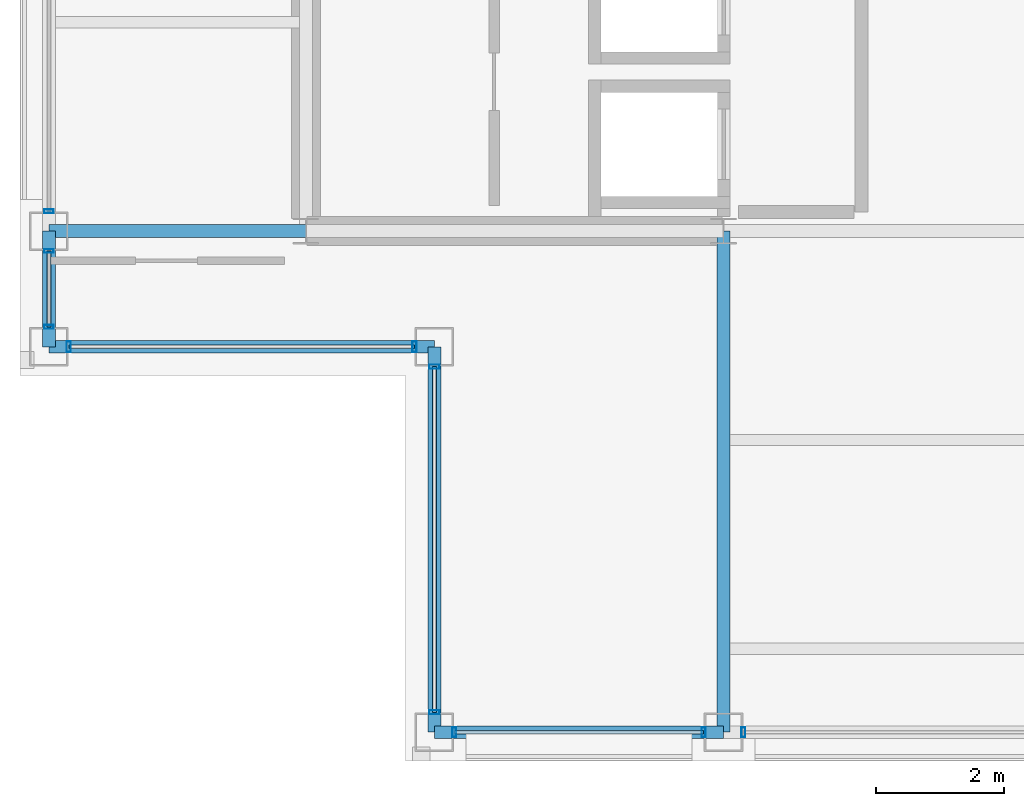
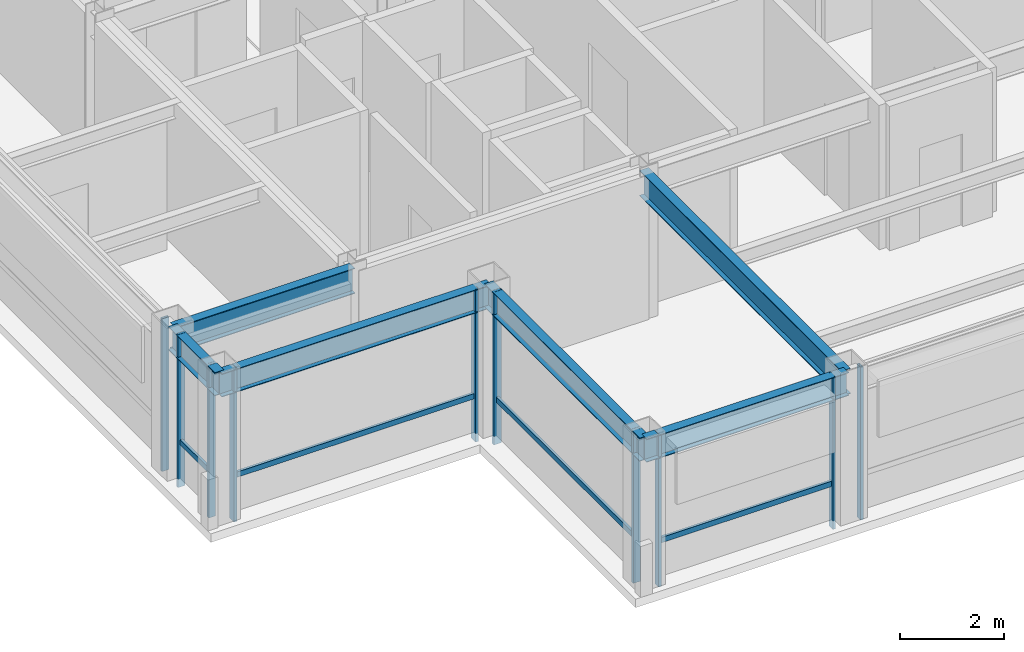
# One storey, part 2 of 22: 14 members, 6 beams, 6 elements without a shape of their own.
"""IFC4 building model written with IfcOpenShell, lengths in metres."""

from ifc_helpers import new_model, si_unit, direction, frame, origin, origin_2d, place, context, subcontext, project, spatial, hollow_rectangle, i_section, extrude, material, layer, layer_set, material_profile, profile_set, type_object, element, aggregate, save


model = new_model("IFC4")

# Units and contexts
model_context = context("Model", 3, precision=1e-05, world=origin(), true_north=direction((0.0, 1.0)))
body_context = subcontext(model_context, "Body", "Model", "MODEL_VIEW")
ifc_project = project(units=[si_unit("LENGTHUNIT", "METRE"), si_unit("AREAUNIT", "SQUARE_METRE"), si_unit("VOLUMEUNIT", "CUBIC_METRE"), si_unit("PLANEANGLEUNIT", "RADIAN"), si_unit("MASSUNIT", "GRAM", prefix="KILO")], contexts=[model_context])

# Site, building, storey
site_placement = place(None, origin())
site = spatial("IfcSite", under=ifc_project, at=site_placement, CompositionType="ELEMENT")
building_placement = place(site_placement, origin())
building = spatial("IfcBuilding", under=site, at=building_placement, Name="Brelmoor Portico Tower", CompositionType="ELEMENT")
storey_placement = place(building_placement, frame((0.0, 0.0, 280.800048828125)))
storey = spatial("IfcBuildingStorey", under=building, at=storey_placement, Name="L74", CompositionType="ELEMENT", Elevation=280.800048828125)

# Beams
ifc_material_1 = material(Name="Steel Q355B", Category="steel")
ifc_material_profile_1 = material_profile(ifc_material_1, i_section(OverallWidth=0.199951171875, OverallDepth=0.60009765625, WebThickness=0.010986328125, FlangeThickness=0.01708984375, at=origin_2d()), Name="HN 600x200x11x17")
ifc_profile_set_1 = profile_set([ifc_material_profile_1], Name="Steel Q355B")
beam_type_1 = type_object("IfcBeamType", Name="BM-PG-600", PredefinedType="BEAM", material=ifc_profile_set_1)
beam_1_placement = place(storey_placement, frame((-8.050048828125, -17.550048828125, 3.099853515625), z_axis=(0.0, 1.0, 0.0), x_axis=(-1.0, 0.0, 0.0)))
element("IfcBeam", 1, at=beam_1_placement, inside=storey, type_object=beam_type_1, Name="L74 Primary Floor Girder PG-03", PredefinedType="BEAM", context=body_context, shape_type="SweptSolid", body=[
    extrude(i_section(OverallWidth=0.199951171875, OverallDepth=0.60009765625, WebThickness=0.010986328125, FlangeThickness=0.01708984375, at=origin_2d()), origin(), (0.0, 0.0, 1.0), 7.800048828125),
])
beam_2_placement = place(storey_placement, frame((-18.550048828125, -9.75, 3.099853515625), z_axis=(1.0, 0.0, 0.0), x_axis=(0.0, 1.0, 0.0)))
element("IfcBeam", 2, at=beam_2_placement, inside=storey, type_object=beam_type_1, Name="L74 Primary Floor Girder PG-11", PredefinedType="BEAM", context=body_context, shape_type="SweptSolid", body=[
    extrude(i_section(OverallWidth=0.199951171875, OverallDepth=0.60009765625, WebThickness=0.010986328125, FlangeThickness=0.01708984375, at=origin_2d()), origin(), (0.0, 0.0, 1.0), 4.0),
])
ifc_material_profile_2 = material_profile(ifc_material_1, i_section(OverallWidth=0.199951171875, OverallDepth=0.550048828125, WebThickness=0.010009765625, FlangeThickness=0.01611328125, at=origin_2d()), Name="HN 550x200x10x16")
ifc_profile_set_2 = profile_set([ifc_material_profile_2], Name="Steel Q355B")
beam_type_2 = type_object("IfcBeamType", Name="BM-SP-550", PredefinedType="SPANDREL", material=ifc_profile_set_2)
beam_3_placement = place(storey_placement, frame((-12.550048828125, -17.550048828125, 3.125), z_axis=(1.0, 0.0, 0.0), x_axis=(0.0, 1.0, 0.0)))
element("IfcBeam", 3, at=beam_3_placement, inside=storey, type_object=beam_type_2, Name="L74 Perimeter Spandrel Beam SP-01", PredefinedType="SPANDREL", context=body_context, shape_type="SweptSolid", body=[
    extrude(i_section(OverallWidth=0.199951171875, OverallDepth=0.550048828125, WebThickness=0.010009765625, FlangeThickness=0.01611328125, at=origin_2d()), origin(), (0.0, 0.0, 1.0), 4.5),
])
beam_4_placement = place(storey_placement, frame((-18.550048828125, -11.550048828125, 3.125), z_axis=(1.0, 0.0, 0.0), x_axis=(0.0, 1.0, 0.0)))
element("IfcBeam", 4, at=beam_4_placement, inside=storey, type_object=beam_type_2, Name="L74 Perimeter Spandrel Beam SP-04", PredefinedType="SPANDREL", context=body_context, shape_type="SweptSolid", body=[
    extrude(i_section(OverallWidth=0.199951171875, OverallDepth=0.550048828125, WebThickness=0.010009765625, FlangeThickness=0.01611328125, at=origin_2d()), origin(), (0.0, 0.0, 1.0), 6.0),
])
beam_5_placement = place(storey_placement, frame((-18.550048828125, -11.550048828125, 3.125), z_axis=(0.0, 1.0, 0.0), x_axis=(-1.0, 0.0, 0.0)))
element("IfcBeam", 5, at=beam_5_placement, inside=storey, type_object=beam_type_2, Name="L74 Perimeter Spandrel Beam SP-11", PredefinedType="SPANDREL", context=body_context, shape_type="SweptSolid", body=[
    extrude(i_section(OverallWidth=0.199951171875, OverallDepth=0.550048828125, WebThickness=0.010009765625, FlangeThickness=0.01611328125, at=origin_2d()), origin(), (0.0, 0.0, 1.0), 1.800048828125),
])
beam_6_placement = place(storey_placement, frame((-12.550048828125, -17.550048828125, 3.125), z_axis=(0.0, 1.0, 0.0), x_axis=(-1.0, 0.0, 0.0)))
element("IfcBeam", 6, at=beam_6_placement, inside=storey, type_object=beam_type_2, Name="L74 Perimeter Spandrel Beam SP-14", PredefinedType="SPANDREL", context=body_context, shape_type="SweptSolid", body=[
    extrude(i_section(OverallWidth=0.199951171875, OverallDepth=0.550048828125, WebThickness=0.010009765625, FlangeThickness=0.01611328125, at=origin_2d()), origin(), (0.0, 0.0, 1.0), 6.0),
])

# Curtain wall, members
ifc_material_2 = material(Name="Anodised Aluminium Alloy 6063-T6", Category="aluminium")
ifc_layer_1 = layer(ifc_material_2, 0.179931640625)
ifc_layer_set_1 = layer_set([ifc_layer_1], Name="Anodised Aluminium Alloy 6063-T6")
curtain_wall_type_1 = type_object("IfcCurtainWallType", Name="CW-TOWER-Z4", PredefinedType="NOTDEFINED", material=ifc_layer_set_1)
curtain_wall_1_placement = place(storey_placement, origin())
curtain_wall_1 = element("IfcCurtainWall", 7, at=curtain_wall_1_placement, inside=storey, type_object=curtain_wall_type_1, Name="L74 Curtain Wall CW-L74-01-1", PredefinedType="NOTDEFINED")
ifc_material_profile_3 = material_profile(ifc_material_2, hollow_rectangle(XDim=0.06005859375, YDim=0.14990234375, WallThickness=0.00390625, at=origin_2d()), Name="ALU MULLION 60x150")
ifc_profile_set_3 = profile_set([ifc_material_profile_3], Name="Anodised Aluminium Alloy 6063-T6")
member_type_1 = type_object("IfcMemberType", Name="MB-CW-MULL-150", PredefinedType="MULLION", material=ifc_profile_set_3)
member_1_placement = place(storey_placement, frame((-12.239990234375, -17.550048828125, -0.199951171875), z_axis=(0.0, 0.0, 1.0), x_axis=(1.0, 0.0, 0.0)))
member_1 = element("IfcMember", 8, at=member_1_placement, type_object=member_type_1, Name="CW-L74-01-1 Mullion 00", PredefinedType="MULLION", context=body_context, shape_type="SweptSolid", body=[
    extrude(hollow_rectangle(XDim=0.06005859375, YDim=0.14990234375, WallThickness=0.00390625, at=origin_2d()), origin(), (0.0, 0.0, 1.0), 3.599853515625),
])
member_2_placement = place(storey_placement, frame((-8.360107421875, -17.550048828125, -0.199951171875), z_axis=(0.0, 0.0, 1.0), x_axis=(1.0, 0.0, 0.0)))
member_2 = element("IfcMember", 9, at=member_2_placement, type_object=member_type_1, Name="CW-L74-01-1 Mullion 01", PredefinedType="MULLION", context=body_context, shape_type="SweptSolid", body=[
    extrude(hollow_rectangle(XDim=0.06005859375, YDim=0.14990234375, WallThickness=0.00390625, at=origin_2d()), origin(), (0.0, 0.0, 1.0), 3.599853515625),
])

# Curtain wall, member
curtain_wall_2_placement = place(storey_placement, origin())
curtain_wall_2 = element("IfcCurtainWall", 10, at=curtain_wall_2_placement, inside=storey, type_object=curtain_wall_type_1, Name="L74 Curtain Wall CW-L74-01-2", PredefinedType="NOTDEFINED")
member_3_placement = place(storey_placement, frame((-7.739990234375, -17.550048828125, -0.199951171875), z_axis=(0.0, 0.0, 1.0), x_axis=(1.0, 0.0, 0.0)))
member_3 = element("IfcMember", 11, at=member_3_placement, type_object=member_type_1, Name="CW-L74-01-2 Mullion 00", PredefinedType="MULLION", context=body_context, shape_type="SweptSolid", body=[
    extrude(hollow_rectangle(XDim=0.06005859375, YDim=0.14990234375, WallThickness=0.00390625, at=origin_2d()), origin(), (0.0, 0.0, 1.0), 3.599853515625),
])
aggregate(curtain_wall_2, [member_3])

# Curtain wall, members
curtain_wall_3_placement = place(storey_placement, origin())
curtain_wall_3 = element("IfcCurtainWall", 12, at=curtain_wall_3_placement, inside=storey, type_object=curtain_wall_type_1, Name="L74 Curtain Wall CW-L74-03-1", PredefinedType="NOTDEFINED")
member_4_placement = place(storey_placement, frame((-18.550048828125, -11.239990234375, -0.199951171875), z_axis=(0.0, 0.0, 1.0), x_axis=(0.0, 1.0, 0.0)))
member_4 = element("IfcMember", 13, at=member_4_placement, type_object=member_type_1, Name="CW-L74-03-1 Mullion 00", PredefinedType="MULLION", context=body_context, shape_type="SweptSolid", body=[
    extrude(hollow_rectangle(XDim=0.06005859375, YDim=0.14990234375, WallThickness=0.00390625, at=origin_2d()), origin(), (0.0, 0.0, 1.0), 3.599853515625),
])
member_5_placement = place(storey_placement, frame((-18.550048828125, -10.06005859375, -0.199951171875), z_axis=(0.0, 0.0, 1.0), x_axis=(0.0, 1.0, 0.0)))
member_5 = element("IfcMember", 14, at=member_5_placement, type_object=member_type_1, Name="CW-L74-03-1 Mullion 01", PredefinedType="MULLION", context=body_context, shape_type="SweptSolid", body=[
    extrude(hollow_rectangle(XDim=0.06005859375, YDim=0.14990234375, WallThickness=0.00390625, at=origin_2d()), origin(), (0.0, 0.0, 1.0), 3.599853515625),
])

# Curtain wall, member
curtain_wall_4_placement = place(storey_placement, origin())
curtain_wall_4 = element("IfcCurtainWall", 15, at=curtain_wall_4_placement, inside=storey, type_object=curtain_wall_type_1, Name="L74 Curtain Wall CW-L74-03-2", PredefinedType="NOTDEFINED")
member_6_placement = place(storey_placement, frame((-18.550048828125, -9.43994140625, -0.199951171875), z_axis=(0.0, 0.0, 1.0), x_axis=(0.0, 1.0, 0.0)))
member_6 = element("IfcMember", 16, at=member_6_placement, type_object=member_type_1, Name="CW-L74-03-2 Mullion 00", PredefinedType="MULLION", context=body_context, shape_type="SweptSolid", body=[
    extrude(hollow_rectangle(XDim=0.06005859375, YDim=0.14990234375, WallThickness=0.00390625, at=origin_2d()), origin(), (0.0, 0.0, 1.0), 3.599853515625),
])
aggregate(curtain_wall_4, [member_6])

# Curtain wall, members
ifc_layer_2 = layer(ifc_material_2, 0.179931640625)
ifc_layer_set_2 = layer_set([ifc_layer_2], Name="Anodised Aluminium Alloy 6063-T6")
curtain_wall_type_2 = type_object("IfcCurtainWallType", Name="CW-NOTCH-CHAMFER", PredefinedType="NOTDEFINED", material=ifc_layer_set_2)
curtain_wall_5_placement = place(storey_placement, origin())
curtain_wall_5 = element("IfcCurtainWall", 17, at=curtain_wall_5_placement, inside=storey, type_object=curtain_wall_type_2, Name="L74 Curtain Wall CWN-L74-SWH", PredefinedType="NOTDEFINED")
ifc_material_profile_4 = material_profile(ifc_material_2, hollow_rectangle(XDim=0.06494140625, YDim=0.1650390625, WallThickness=0.00390625, at=origin_2d()), Name="ALU MULLION 65x165")
ifc_profile_set_4 = profile_set([ifc_material_profile_4], Name="Anodised Aluminium Alloy 6063-T6")
member_type_2 = type_object("IfcMemberType", Name="MB-CW-MULL-165", PredefinedType="MULLION", material=ifc_profile_set_4)
member_7_placement = place(storey_placement, frame((-18.239990234375, -11.550048828125, -0.199951171875), z_axis=(0.0, 0.0, 1.0), x_axis=(1.0, 0.0, 0.0)))
member_7 = element("IfcMember", 18, at=member_7_placement, type_object=member_type_2, Name="CWN-L74-SWH Mullion 00", PredefinedType="MULLION", context=body_context, shape_type="SweptSolid", body=[
    extrude(hollow_rectangle(XDim=0.06494140625, YDim=0.1650390625, WallThickness=0.00390625, at=origin_2d()), origin(), (0.0, 0.0, 1.0), 3.599853515625),
])
member_8_placement = place(storey_placement, frame((-12.860107421875, -11.550048828125, -0.199951171875), z_axis=(0.0, 0.0, 1.0), x_axis=(1.0, 0.0, 0.0)))
member_8 = element("IfcMember", 19, at=member_8_placement, type_object=member_type_2, Name="CWN-L74-SWH Mullion 01", PredefinedType="MULLION", context=body_context, shape_type="SweptSolid", body=[
    extrude(hollow_rectangle(XDim=0.06494140625, YDim=0.1650390625, WallThickness=0.00390625, at=origin_2d()), origin(), (0.0, 0.0, 1.0), 3.599853515625),
])

curtain_wall_6_placement = place(storey_placement, origin())
curtain_wall_6 = element("IfcCurtainWall", 20, at=curtain_wall_6_placement, inside=storey, type_object=curtain_wall_type_2, Name="L74 Curtain Wall CWN-L74-SWV", PredefinedType="NOTDEFINED")
member_9_placement = place(storey_placement, frame((-12.550048828125, -17.239990234375, -0.199951171875), z_axis=(0.0, 0.0, 1.0), x_axis=(0.0, 1.0, 0.0)))
member_9 = element("IfcMember", 21, at=member_9_placement, type_object=member_type_2, Name="CWN-L74-SWV Mullion 00", PredefinedType="MULLION", context=body_context, shape_type="SweptSolid", body=[
    extrude(hollow_rectangle(XDim=0.06494140625, YDim=0.1650390625, WallThickness=0.00390625, at=origin_2d()), origin(), (0.0, 0.0, 1.0), 3.599853515625),
])
member_10_placement = place(storey_placement, frame((-12.550048828125, -11.860107421875, -0.199951171875), z_axis=(0.0, 0.0, 1.0), x_axis=(0.0, 1.0, 0.0)))
member_10 = element("IfcMember", 22, at=member_10_placement, type_object=member_type_2, Name="CWN-L74-SWV Mullion 01", PredefinedType="MULLION", context=body_context, shape_type="SweptSolid", body=[
    extrude(hollow_rectangle(XDim=0.06494140625, YDim=0.1650390625, WallThickness=0.00390625, at=origin_2d()), origin(), (0.0, 0.0, 1.0), 3.599853515625),
])

# Member
ifc_material_profile_5 = material_profile(ifc_material_2, hollow_rectangle(XDim=0.06005859375, YDim=0.125, WallThickness=0.00341796875, at=origin_2d()), Name="ALU TRANSOM 60x125")
ifc_profile_set_5 = profile_set([ifc_material_profile_5], Name="Anodised Aluminium Alloy 6063-T6")
member_type_3 = type_object("IfcMemberType", Name="MB-CW-TRAN-125", PredefinedType="USERDEFINED", material=ifc_profile_set_5)
member_11_placement = place(storey_placement, frame((-12.239990234375, -17.550048828125, 0.849853515625), z_axis=(1.0, 0.0, 0.0), x_axis=(0.0, 1.0, 0.0)))
member_11 = element("IfcMember", 23, at=member_11_placement, type_object=member_type_3, Name="CW-L74-01-1 Transom 1-00", ObjectType="TRANSOM", PredefinedType="USERDEFINED", context=body_context, shape_type="SweptSolid", body=[
    extrude(hollow_rectangle(XDim=0.06005859375, YDim=0.125, WallThickness=0.00341796875, at=origin_2d()), origin(), (0.0, 0.0, 1.0), 3.8798828125),
])

aggregate(curtain_wall_1, [member_1, member_2, member_11])

member_12_placement = place(storey_placement, frame((-18.550048828125, -11.239990234375, 0.849853515625), z_axis=(0.0, 1.0, 0.0), x_axis=(-1.0, 0.0, 0.0)))
member_12 = element("IfcMember", 24, at=member_12_placement, type_object=member_type_3, Name="CW-L74-03-1 Transom 1-00", ObjectType="TRANSOM", PredefinedType="USERDEFINED", context=body_context, shape_type="SweptSolid", body=[
    extrude(hollow_rectangle(XDim=0.06005859375, YDim=0.125, WallThickness=0.00341796875, at=origin_2d()), origin(), (0.0, 0.0, 1.0), 1.179931640625),
])

aggregate(curtain_wall_3, [member_4, member_5, member_12])

member_13_placement = place(storey_placement, frame((-18.239990234375, -11.550048828125, 0.849853515625), z_axis=(1.0, 0.0, 0.0), x_axis=(0.0, 1.0, 0.0)))
member_13 = element("IfcMember", 25, at=member_13_placement, type_object=member_type_3, Name="CWN-L74-SWH Transom 1-00", ObjectType="TRANSOM", PredefinedType="USERDEFINED", context=body_context, shape_type="SweptSolid", body=[
    extrude(hollow_rectangle(XDim=0.06005859375, YDim=0.125, WallThickness=0.00341796875, at=origin_2d()), origin(), (0.0, 0.0, 1.0), 5.3798828125),
])

aggregate(curtain_wall_5, [member_7, member_8, member_13])

member_14_placement = place(storey_placement, frame((-12.550048828125, -17.239990234375, 0.849853515625), z_axis=(0.0, 1.0, 0.0), x_axis=(-1.0, 0.0, 0.0)))
member_14 = element("IfcMember", 26, at=member_14_placement, type_object=member_type_3, Name="CWN-L74-SWV Transom 1-00", ObjectType="TRANSOM", PredefinedType="USERDEFINED", context=body_context, shape_type="SweptSolid", body=[
    extrude(hollow_rectangle(XDim=0.06005859375, YDim=0.125, WallThickness=0.00341796875, at=origin_2d()), origin(), (0.0, 0.0, 1.0), 5.3798828125),
])

aggregate(curtain_wall_6, [member_9, member_10, member_14])

save(model, "model.ifc")
